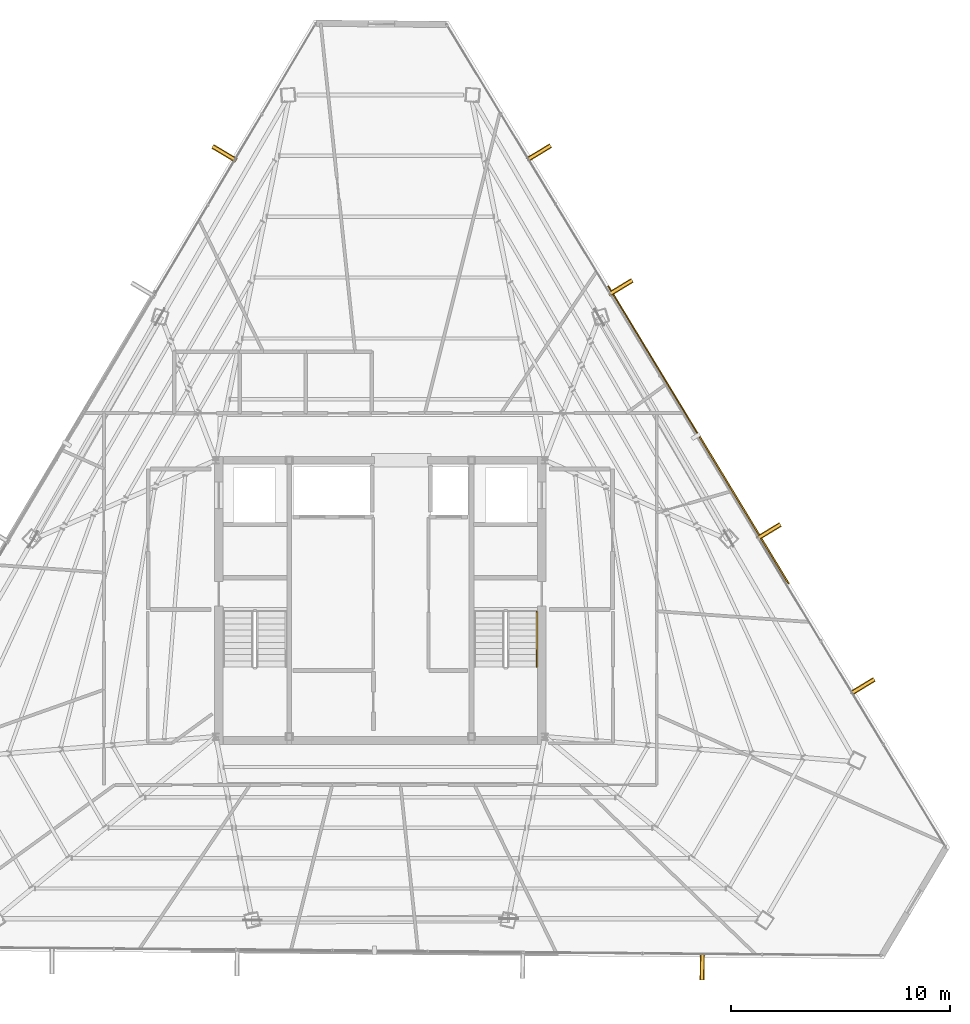
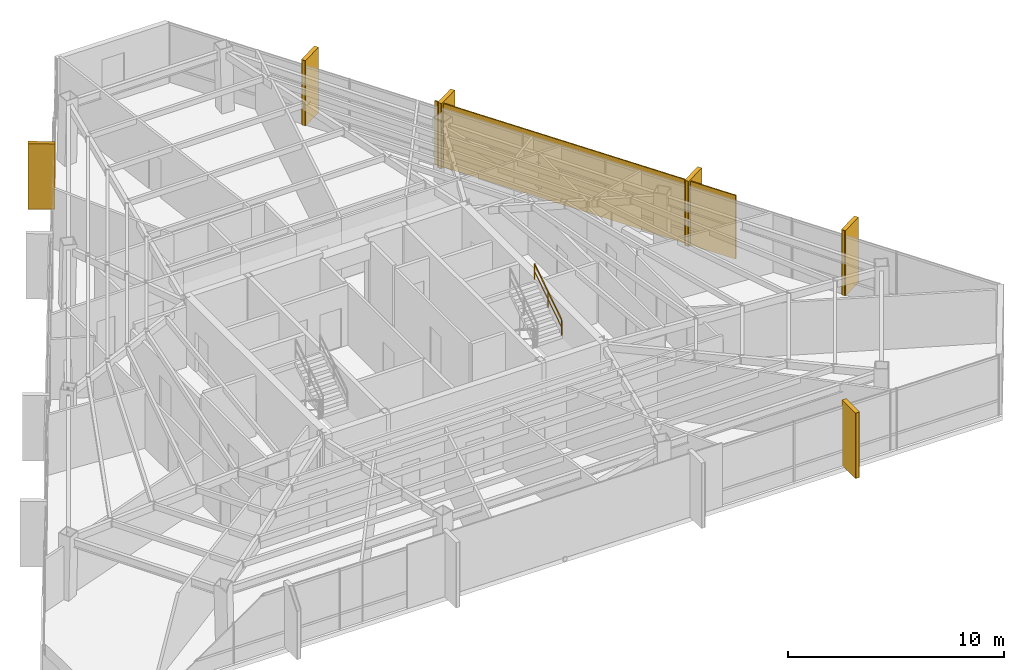
# One storey, part 45 of 45: 7 shading devices, 6 coverings, 1 railing.
"""IFC4 building model written with IfcOpenShell, lengths in metres."""

from ifc_helpers import new_model, si_unit, direction, frame, origin, origin_2d, place, context, subcontext, project, spatial, rectangle, extrude, source, transform, mapped, material, layer, layer_set, type_object, type_shapes, element, save


model = new_model("IFC4")

# Units and contexts
model_context = context("Model", 3, precision=1e-05, world=origin(), true_north=direction((0.0, 1.0)))
body_context = subcontext(model_context, "Body", "Model", "MODEL_VIEW")
ifc_project = project(units=[si_unit("LENGTHUNIT", "METRE"), si_unit("AREAUNIT", "SQUARE_METRE"), si_unit("VOLUMEUNIT", "CUBIC_METRE"), si_unit("PLANEANGLEUNIT", "RADIAN"), si_unit("MASSUNIT", "GRAM", prefix="KILO")], contexts=[model_context])

# Site, building, storey
site_placement = place(None, origin())
site = spatial("IfcSite", under=ifc_project, at=site_placement, CompositionType="ELEMENT")
building_placement = place(site_placement, origin())
building = spatial("IfcBuilding", under=site, at=building_placement, Name="Caelisora Broadcast Tower", CompositionType="ELEMENT")
storey_placement = place(building_placement, frame((0.0, 0.0, 240.800048828125)))
storey = spatial("IfcBuildingStorey", under=building, at=storey_placement, Name="L63", CompositionType="ELEMENT", Elevation=240.800048828125)

# Railing
ifc_material_1 = material(Name="Stainless Steel Grade 316 Tubular Handrail", Category="steel")
ifc_layer_1 = layer(ifc_material_1, 0.048095703125, Name="Stainless Steel Grade 316 Tubular Handrail")
ifc_layer_set_1 = layer_set([ifc_layer_1], Name="Stainless Steel Grade 316 Tubular Handrail")
railing_type = type_object("IfcRailingType", Name="HR-1", PredefinedType="HANDRAIL", material=ifc_layer_set_1)
railing_placement = place(storey_placement, frame((45.1298828125, 20.580078125, 2.007568359375)))
element("IfcRailing", 1, at=railing_placement, inside=storey, type_object=railing_type, Name="L63 ST-2 stair handrail 2", PredefinedType="HANDRAIL", context=body_context, shape_type="SweptSolid", body=[
    extrude(rectangle(XDim=0.048095703125, YDim=0.048095703125, at=origin_2d()), frame((0.0, 0.0, 0.8759765625), z_axis=(0.0, 0.837786554691, 0.545997883492), x_axis=(-1.0, 0.0, 0.0)), (0.0, 0.0, 1.0), 3.008056640625),
    extrude(rectangle(XDim=0.03125, YDim=0.03125, at=origin_2d()), frame((0.0, 0.0, 0.449951171875), z_axis=(0.0, 0.837786554691, 0.545997883492), x_axis=(-1.0, 0.0, 0.0)), (0.0, 0.0, 1.0), 3.008056640625),
    extrude(rectangle(XDim=0.0419921875, YDim=0.0419921875, at=origin_2d()), origin(), (0.0, 0.0, 1.0), 0.851806640625),
    extrude(rectangle(XDim=0.0419921875, YDim=0.0419921875, at=origin_2d()), frame((0.0, 1.260009765625, 0.8212890625)), (0.0, 0.0, 1.0), 0.851806640625),
    extrude(rectangle(XDim=0.0419921875, YDim=0.0419921875, at=origin_2d()), frame((0.0, 2.52001953125, 1.642333984375)), (0.0, 0.0, 1.0), 0.851806640625),
])

# Coverings
ifc_material_2 = material(Name="Kiln-Fired Terracotta Spandrel Rainscreen Cladding", Category="ceramic")
ifc_layer_2 = layer(ifc_material_2, 0.044921875, Name="Kiln-Fired Terracotta Spandrel Rainscreen Cladding")
ifc_layer_set_2 = layer_set([ifc_layer_2], Name="Kiln-Fired Terracotta Spandrel Rainscreen Cladding")
covering_type = type_object("IfcCoveringType", Name="CL-1", PredefinedType="CLADDING", material=ifc_layer_set_2)
shared_shape_1 = source(origin(), body_context, "Body", "SweptSolid", [
    extrude(rectangle(XDim=0.219970703125, YDim=1.25, at=origin_2d()), origin(), (0.0, 0.0, 1.0), 3.68994140625),
])
type_shapes(covering_type, [shared_shape_1])
for number, where, z_axis, x_axis, name in (
    (2, (45.228759765625, 44.015380859375, -0.02001953125), (0.0, 0.0, 1.0), (0.51862403999, -0.855002400666, 0.0), "L63 vertical solar fin cladding #1-1"),
    (3, (48.95263671875, 37.876708984375, -0.02001953125), (0.0, 0.0, 1.0), (0.51862403999, -0.855002400666, 0.0), "L63 vertical solar fin cladding #1-2"),
    (4, (55.70361328125, 26.747802734375, -0.02001953125), (0.0, 0.0, 1.0), (0.51862403999, -0.855002400666, 0.0), "L63 vertical solar fin cladding #1-3"),
    (5, (59.985107421875, 19.689697265625, -0.02001953125), (0.0, 0.0, 1.0), (0.51862403999, -0.855002400666, 0.0), "L63 vertical solar fin cladding #1-4"),
    (6, (52.67431640625, 6.933349609375, -0.02001953125), (0.0, 0.0, 1.0), (-0.999960384766, 0.008901061644, 0.0), "L63 vertical solar fin cladding #2-1"),
    (7, (30.892822265625, 43.9873046875, -0.02001953125), (0.0, 0.0, 1.0), (0.510993065504, 0.859584834096, 0.0), "L63 vertical solar fin cladding #3-4"),
):
    element("IfcCovering", number, at=place(storey_placement, frame(where, z_axis=z_axis, x_axis=x_axis)), inside=storey, type_object=covering_type, Name=name, PredefinedType="CLADDING", context=body_context, shape_type="MappedRepresentation", body=[
        mapped(shared_shape_1, transform((0.0, 0.0, 0.0), scale=1.0)),
    ])

# Shading devices
ifc_material_3 = material(Name="Extruded Terracotta Flaring Colonnade Fin", Category="ceramic")
ifc_layer_3 = layer(ifc_material_3, 0.139892578125, Name="Extruded Terracotta Flaring Colonnade Fin")
ifc_layer_set_3 = layer_set([ifc_layer_3], Name="Extruded Terracotta Flaring Colonnade Fin")
shading_device_type_1 = type_object("IfcShadingDeviceType", Name="FN-1", PredefinedType="USERDEFINED", material=ifc_layer_set_3)
shared_shape_2 = source(origin(), body_context, "Body", "SweptSolid", [
    extrude(rectangle(XDim=0.139892578125, YDim=1.25, at=origin_2d()), origin(), (0.0, 0.0, 1.0), 3.669921875),
])
type_shapes(shading_device_type_1, [shared_shape_2])
for number, where, z_axis, x_axis, name in (
    (8, (45.228759765625, 44.015380859375, -0.010009765625), (0.0, 0.0, 1.0), (0.51862403999, -0.855002400666, 0.0), "L63 vertical terracotta fin #1-1"),
    (9, (48.95263671875, 37.876708984375, -0.010009765625), (0.0, 0.0, 1.0), (0.51862403999, -0.855002400666, 0.0), "L63 vertical terracotta fin #1-2"),
    (10, (55.70361328125, 26.747802734375, -0.010009765625), (0.0, 0.0, 1.0), (0.51862403999, -0.855002400666, 0.0), "L63 vertical terracotta fin #1-3"),
    (11, (59.985107421875, 19.689697265625, -0.010009765625), (0.0, 0.0, 1.0), (0.51862403999, -0.855002400666, 0.0), "L63 vertical terracotta fin #1-4"),
    (12, (52.67431640625, 6.933349609375, -0.010009765625), (0.0, 0.0, 1.0), (-0.999960384766, 0.008901061644, 0.0), "L63 vertical terracotta fin #2-1"),
    (13, (30.892822265625, 43.9873046875, -0.010009765625), (0.0, 0.0, 1.0), (0.510993065504, 0.859584834096, 0.0), "L63 vertical terracotta fin #3-4"),
):
    element("IfcShadingDevice", number, at=place(storey_placement, frame(where, z_axis=z_axis, x_axis=x_axis)), inside=storey, type_object=shading_device_type_1, Name=name, ObjectType="FIN", PredefinedType="USERDEFINED", context=body_context, shape_type="MappedRepresentation", body=[
        mapped(shared_shape_2, transform((0.0, 0.0, 0.0), scale=1.0)),
    ])
ifc_material_4 = material(Name="Perforated Glazed Terracotta Baguette Solar Screen", Category="ceramic")
ifc_layer_4 = layer(ifc_material_4, 0.06494140625, Name="Perforated Glazed Terracotta Baguette Solar Screen")
ifc_layer_set_4 = layer_set([ifc_layer_4], Name="Perforated Glazed Terracotta Baguette Solar Screen")
shading_device_type_2 = type_object("IfcShadingDeviceType", Name="SS-1", PredefinedType="USERDEFINED", material=ifc_layer_set_4)
shared_shape_3 = source(origin(), body_context, "Body", "SweptSolid", [
    extrude(rectangle(XDim=15.862060546875, YDim=0.06494140625, at=origin_2d()), origin(), (0.0, 0.0, 1.0), 3.590087890625),
])
type_shapes(shading_device_type_2, [shared_shape_3])
shading_device_placement = place(storey_placement, frame((52.502685546875, 31.15673828125, 0.0), z_axis=(0.0, 0.0, 1.0), x_axis=(-0.51862403999, 0.855002400666, 0.0)))
element("IfcShadingDevice", 14, at=shading_device_placement, inside=storey, type_object=shading_device_type_2, Name="L63 perforated terracotta solar screen #3", ObjectType="SOLAR SCREEN", PredefinedType="USERDEFINED", context=body_context, shape_type="MappedRepresentation", body=[
    mapped(shared_shape_3, transform((0.0, 0.0, 0.0), scale=1.0)),
])

save(model, "model.ifc")
